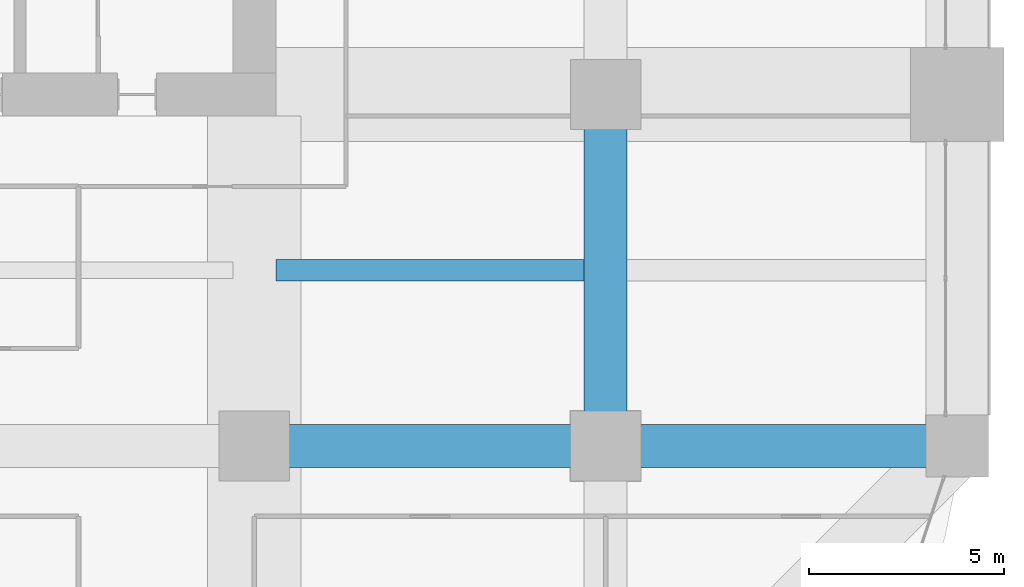
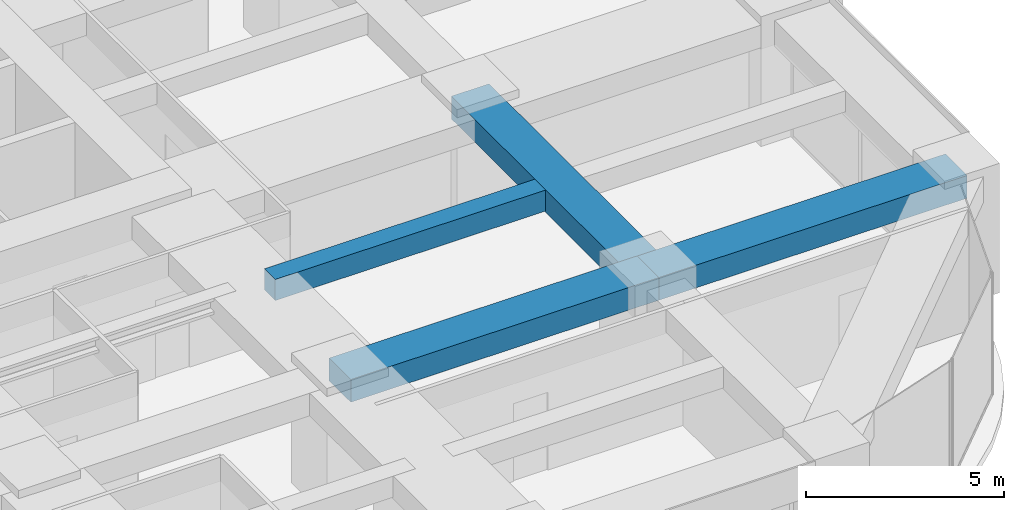
# One storey, part 18 of 42: 4 beams.
"""IFC4 building model written with IfcOpenShell, lengths in metres."""

from ifc_helpers import new_model, si_unit, direction, frame, origin, origin_2d, place, context, subcontext, project, spatial, rectangle, extrude, material, material_profile, profile_set, type_object, element, save


model = new_model("IFC4")

# Units and contexts
model_context = context("Model", 3, precision=1e-05, world=origin(), true_north=direction((0.0, 1.0)))
body_context = subcontext(model_context, "Body", "Model", "MODEL_VIEW")
ifc_project = project(units=[si_unit("LENGTHUNIT", "METRE"), si_unit("AREAUNIT", "SQUARE_METRE"), si_unit("VOLUMEUNIT", "CUBIC_METRE"), si_unit("PLANEANGLEUNIT", "RADIAN"), si_unit("MASSUNIT", "GRAM", prefix="KILO")], contexts=[model_context])

# Site, building, storey
site_placement = place(None, origin())
site = spatial("IfcSite", under=ifc_project, at=site_placement, CompositionType="ELEMENT")
building_placement = place(site_placement, origin())
building = spatial("IfcBuilding", under=site, at=building_placement, Name="Zorevar Civic Tower", CompositionType="ELEMENT")
storey_placement = place(building_placement, frame((0.0, 0.0, 149.0)))
storey = spatial("IfcBuildingStorey", under=building, at=storey_placement, Name="L36", CompositionType="ELEMENT", Elevation=149.0)

# Beams
ifc_material_1 = material(Name="Concrete C50/60", Category="concrete")
ifc_material_profile_1 = material_profile(ifc_material_1, rectangle(XDim=1.10009765625, YDim=0.699951171875, at=origin_2d()), Name="RC 1100x700")
ifc_profile_set_1 = profile_set([ifc_material_profile_1], Name="Concrete C50/60")
beam_type_1 = type_object("IfcBeamType", Name="Beam RC 1100x700", PredefinedType="BEAM", material=ifc_profile_set_1)
for number, where, z_axis, x_axis, name in (
    (1, (45.0, 9.0, 3.39990234375), (1.0, 0.0, 0.0), (0.0, 1.0, 0.0), "Girder L37"),
    (2, (54.0, 9.0, 3.39990234375), (1.0, 0.0, 0.0), (0.0, 1.0, 0.0), "Girder L37"),
    (3, (54.0, 9.0, 3.39990234375), (0.0, 1.0, 0.0), (-1.0, 0.0, 0.0), "Girder L37"),
):
    element("IfcBeam", number, at=place(storey_placement, frame(where, z_axis=z_axis, x_axis=x_axis)), inside=storey, type_object=beam_type_1, Name=name, PredefinedType="BEAM", context=body_context, shape_type="SweptSolid", body=[
        extrude(rectangle(XDim=1.10009765625, YDim=0.699951171875, at=origin_2d()), origin(), (0.0, 0.0, 1.0), 9.0),
    ])
ifc_material_2 = material(Name="Concrete C50/60", Category="concrete")
ifc_material_profile_2 = material_profile(ifc_material_2, rectangle(XDim=0.550048828125, YDim=0.64990234375, at=origin_2d()), Name="RC 550x650")
ifc_profile_set_2 = profile_set([ifc_material_profile_2], Name="Concrete C50/60")
beam_type_2 = type_object("IfcBeamType", Name="Beam RC 550x650", PredefinedType="BEAM", material=ifc_profile_set_2)
beam_placement = place(storey_placement, frame((45.550048828125, 13.5, 3.425048828125), z_axis=(1.0, 0.0, 0.0), x_axis=(0.0, 1.0, 0.0)))
element("IfcBeam", 4, at=beam_placement, inside=storey, type_object=beam_type_2, Name="Secondary beam L37", PredefinedType="BEAM", context=body_context, shape_type="SweptSolid", body=[
    extrude(rectangle(XDim=0.550048828125, YDim=0.64990234375, at=origin_2d()), origin(), (0.0, 0.0, 1.0), 7.89990234375),
])

save(model, "model.ifc")
